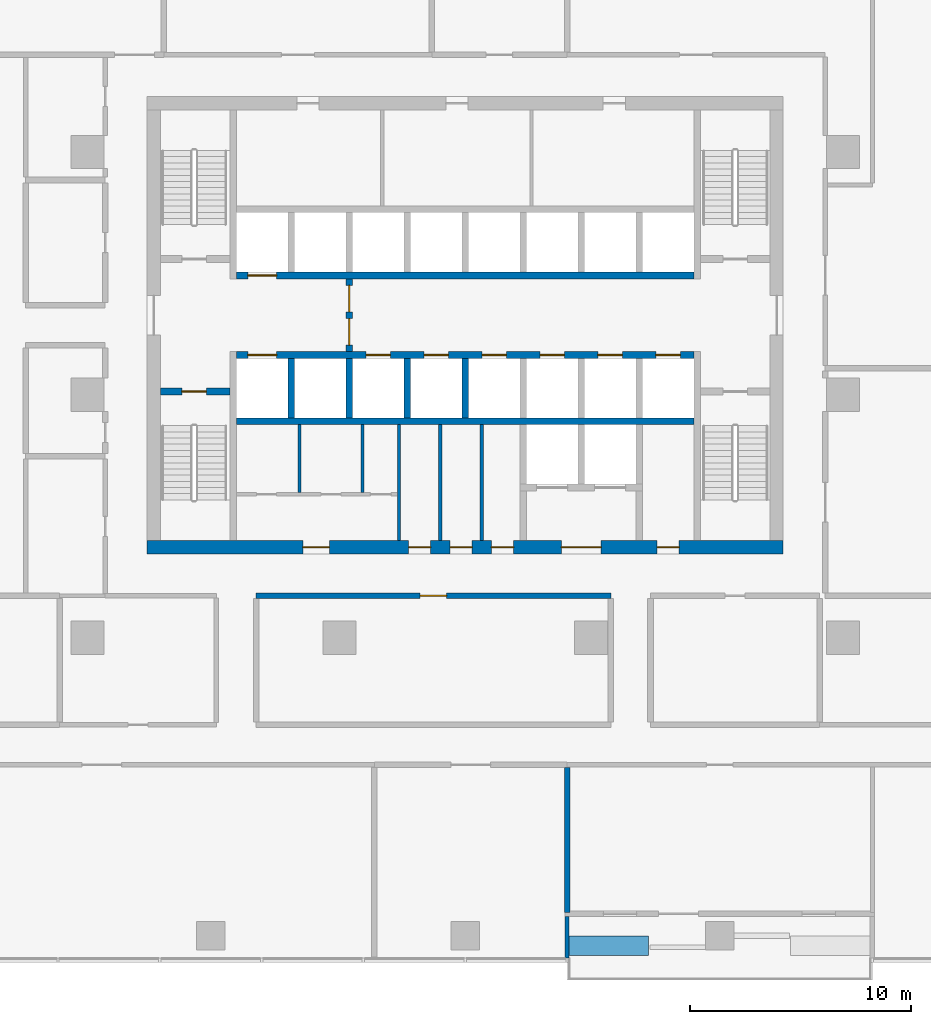
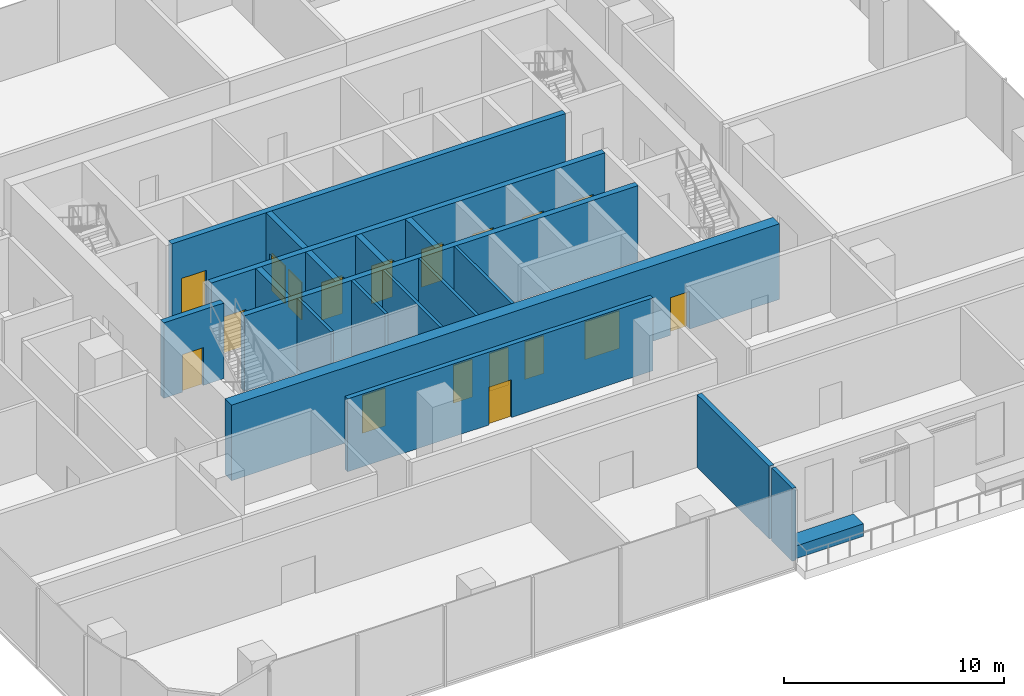
# One storey, part 8 of 15: 19 walls, 18 doors, 18 openings.
"""IFC4 building model written with IfcOpenShell, lengths in metres."""

from ifc_helpers import new_model, si_unit, direction, frame, frame_2d, origin, place, context, subcontext, project, spatial, rectangle, extrude, material, layer, layer_set, type_object, element, fill, save


model = new_model("IFC4")

# Units and contexts
model_context = context("Model", 3, precision=1e-05, world=origin(), true_north=direction((0.0, 1.0)))
body_context = subcontext(model_context, "Body", "Model", "MODEL_VIEW")
ifc_project = project(units=[si_unit("LENGTHUNIT", "METRE"), si_unit("AREAUNIT", "SQUARE_METRE"), si_unit("VOLUMEUNIT", "CUBIC_METRE"), si_unit("PLANEANGLEUNIT", "RADIAN"), si_unit("MASSUNIT", "GRAM", prefix="KILO")], contexts=[model_context])

# Site, building, storey
site_placement = place(None, origin())
site = spatial("IfcSite", under=ifc_project, at=site_placement, CompositionType="ELEMENT")
building_placement = place(site_placement, origin())
building = spatial("IfcBuilding", under=site, at=building_placement, Name="Mopane Tessera Tower", CompositionType="ELEMENT")
storey_placement = place(building_placement, frame((0.0, 0.0, 112.60009765625)))
storey = spatial("IfcBuildingStorey", under=building, at=storey_placement, Name="L22", CompositionType="ELEMENT", Elevation=112.60009765625)

# Walls
ifc_material_1 = material(Name="Fire-rated gypsum board partition")
ifc_layer_1 = layer(ifc_material_1, 0.14990234375)
ifc_layer_set_1 = layer_set([ifc_layer_1], Name="Fire-rated gypsum board partition")
wall_type_1 = type_object("IfcWallType", Name="Core room partition 150 mm", PredefinedType="PARTITIONING", material=ifc_layer_set_1)
for number, where, z_axis, x_axis, name in (
    (1, (-7.5, -4.425048828125, 0.0), (0.0, 0.0, 1.0), (0.0, 1.0, 0.0), "L22 WC partition"),
    (2, (-4.64990234375, -4.425048828125, 0.0), (0.0, 0.0, 1.0), (0.0, 1.0, 0.0), "L22 WC partition"),
):
    element("IfcWall", number, at=place(storey_placement, frame(where, z_axis=z_axis, x_axis=x_axis)), inside=storey, type_object=wall_type_1, Name=name, PredefinedType="PARTITIONING", context=body_context, shape_type="SweptSolid", body=[
        extrude(rectangle(XDim=3.074951171875, YDim=0.14990234375, at=frame_2d((1.53759765625, 0.0))), origin(), (0.0, 0.0, 1.0), 4.199951171875),
    ])
for number, where, z_axis, x_axis, name in (
    (3, (-3.0, -6.60009765625, 0.0), (0.0, 0.0, 1.0), (0.0, 1.0, 0.0), "L22 Room partition"),
    (4, (-1.125, -6.60009765625, 0.0), (0.0, 0.0, 1.0), (0.0, 1.0, 0.0), "L22 Room partition"),
    (5, (0.75, -6.60009765625, 0.0), (0.0, 0.0, 1.0), (0.0, 1.0, 0.0), "L22 Room partition"),
):
    element("IfcWall", number, at=place(storey_placement, frame(where, z_axis=z_axis, x_axis=x_axis)), inside=storey, type_object=wall_type_1, Name=name, PredefinedType="PARTITIONING", context=body_context, shape_type="SweptSolid", body=[
        extrude(rectangle(XDim=5.25, YDim=0.14990234375, at=frame_2d((2.625, 0.0))), origin(), (0.0, 0.0, 1.0), 4.199951171875),
    ])

# Wall, openings, doors
ifc_material_2 = material(Name="Concrete C70/85", Category="concrete")
ifc_layer_2 = layer(ifc_material_2, 0.60009765625)
ifc_layer_set_2 = layer_set([ifc_layer_2], Name="Concrete C70/85")
wall_type_2 = type_object("IfcWallType", Name="Core shear wall 600 mm", PredefinedType="SHEAR", material=ifc_layer_set_2)
wall_1_placement = place(storey_placement, frame((-14.39990234375, -6.89990234375, 0.0), z_axis=(0.0, 0.0, 1.0), x_axis=(1.0, 0.0, 0.0)))
wall_1 = element("IfcWall", 6, at=wall_1_placement, inside=storey, type_object=wall_type_2, Name="L22 Core wall south", PredefinedType="SHEAR", context=body_context, shape_type="SweptSolid", body=[
    extrude(rectangle(XDim=28.7998046875, YDim=0.60009765625, at=frame_2d((14.39990234375, 0.0))), origin(), (0.0, 0.0, 1.0), 4.199951171875),
])
opening_1_placement = place(wall_1_placement, frame((7.050048828125, 0.0, 0.0)))
opening_1 = element("IfcOpeningElement", 7, at=opening_1_placement, cuts=wall_1, Name="Opening WD3", PredefinedType="OPENING", context=body_context, shape_type="SweptSolid", body=[
    extrude(rectangle(XDim=1.199951171875, YDim=2.10009765625, at=frame_2d((0.60009765625, 1.050048828125))), frame((0.0, 0.31201171875, 0.0), z_axis=(0.0, -1.0, 0.0), x_axis=(1.0, 0.0, 0.0)), (0.0, 0.0, 1.0), 0.6240234375),
])
opening_2_placement = place(wall_1_placement, frame((11.83740234375, 0.0, 0.0)))
opening_2 = element("IfcOpeningElement", 8, at=opening_2_placement, cuts=wall_1, Name="Opening RD1", PredefinedType="OPENING", context=body_context, shape_type="SweptSolid", body=[
    extrude(rectangle(XDim=1.0, YDim=2.10009765625, at=frame_2d((0.5, 1.050048828125))), frame((0.0, 0.31201171875, 0.0), z_axis=(0.0, -1.0, 0.0), x_axis=(1.0, 0.0, 0.0)), (0.0, 0.0, 1.0), 0.6240234375),
])
opening_3_placement = place(wall_1_placement, frame((13.71240234375, 0.0, 0.0)))
opening_3 = element("IfcOpeningElement", 9, at=opening_3_placement, cuts=wall_1, Name="Opening RD1", PredefinedType="OPENING", context=body_context, shape_type="SweptSolid", body=[
    extrude(rectangle(XDim=1.0, YDim=2.10009765625, at=frame_2d((0.5, 1.050048828125))), frame((0.0, 0.31201171875, 0.0), z_axis=(0.0, -1.0, 0.0), x_axis=(1.0, 0.0, 0.0)), (0.0, 0.0, 1.0), 0.6240234375),
])
opening_4_placement = place(wall_1_placement, frame((15.58740234375, 0.0, 0.0)))
opening_4 = element("IfcOpeningElement", 10, at=opening_4_placement, cuts=wall_1, Name="Opening RD1", PredefinedType="OPENING", context=body_context, shape_type="SweptSolid", body=[
    extrude(rectangle(XDim=1.0, YDim=2.10009765625, at=frame_2d((0.5, 1.050048828125))), frame((0.0, 0.31201171875, 0.0), z_axis=(0.0, -1.0, 0.0), x_axis=(1.0, 0.0, 0.0)), (0.0, 0.0, 1.0), 0.6240234375),
])
opening_5_placement = place(wall_1_placement, frame((18.75, 0.0, 0.0)))
opening_5 = element("IfcOpeningElement", 11, at=opening_5_placement, cuts=wall_1, Name="Opening SD2", PredefinedType="OPENING", context=body_context, shape_type="SweptSolid", body=[
    extrude(rectangle(XDim=1.800048828125, YDim=2.10009765625, at=frame_2d((0.89990234375, 1.050048828125))), frame((0.0, 0.31201171875, 0.0), z_axis=(0.0, -1.0, 0.0), x_axis=(1.0, 0.0, 0.0)), (0.0, 0.0, 1.0), 0.6240234375),
])
opening_6_placement = place(wall_1_placement, frame((23.08740234375, 0.0, 0.0)))
opening_6 = element("IfcOpeningElement", 12, at=opening_6_placement, cuts=wall_1, Name="Opening RD1", PredefinedType="OPENING", context=body_context, shape_type="SweptSolid", body=[
    extrude(rectangle(XDim=1.0, YDim=2.10009765625, at=frame_2d((0.5, 1.050048828125))), frame((0.0, 0.31201171875, 0.0), z_axis=(0.0, -1.0, 0.0), x_axis=(1.0, 0.0, 0.0)), (0.0, 0.0, 1.0), 0.6240234375),
])
ifc_material_3 = material(Name="Steel fire door", Category="steel")
door_type_1 = type_object("IfcDoorType", Name="Core entrance double door 1800 x 2100", OperationType="DOUBLE_DOOR_SINGLE_SWING", PredefinedType="DOOR", material=ifc_material_3)
door_1_placement = place(opening_5_placement, origin())
door_1 = element("IfcDoor", 13, at=door_1_placement, inside=storey, type_object=door_type_1, Name="L22 Service lobby door", OperationType="DOUBLE_DOOR_SINGLE_SWING", OverallHeight=2.10009765625, OverallWidth=1.800048828125, PredefinedType="DOOR", context=body_context, shape_type="SweptSolid", body=[
    extrude(rectangle(XDim=1.800048828125, YDim=2.10009765625, at=frame_2d((0.89990234375, 1.050048828125))), frame((0.0, 0.02490234375, 0.0), z_axis=(0.0, -1.0, 0.0), x_axis=(1.0, 0.0, 0.0)), (0.0, 0.0, 1.0), 0.050048828125),
])
fill(opening_5, door_1)
ifc_material_4 = material(Name="Timber door", Category="wood")
door_type_2 = type_object("IfcDoorType", Name="Core room door 1000 x 2100", OperationType="SINGLE_SWING_LEFT", PredefinedType="DOOR", material=ifc_material_4)
door_2_placement = place(opening_2_placement, origin())
door_2 = element("IfcDoor", 14, at=door_2_placement, inside=storey, type_object=door_type_2, Name="L22 Room door", OperationType="SINGLE_SWING_LEFT", OverallHeight=2.10009765625, OverallWidth=1.0, PredefinedType="DOOR", context=body_context, shape_type="SweptSolid", body=[
    extrude(rectangle(XDim=1.0, YDim=2.10009765625, at=frame_2d((0.5, 1.050048828125))), frame((0.0, 0.02490234375, 0.0), z_axis=(0.0, -1.0, 0.0), x_axis=(1.0, 0.0, 0.0)), (0.0, 0.0, 1.0), 0.050048828125),
])
fill(opening_2, door_2)
door_3_placement = place(opening_3_placement, origin())
door_3 = element("IfcDoor", 15, at=door_3_placement, inside=storey, type_object=door_type_2, Name="L22 Room door", OperationType="SINGLE_SWING_LEFT", OverallHeight=2.10009765625, OverallWidth=1.0, PredefinedType="DOOR", context=body_context, shape_type="SweptSolid", body=[
    extrude(rectangle(XDim=1.0, YDim=2.10009765625, at=frame_2d((0.5, 1.050048828125))), frame((0.0, 0.02490234375, 0.0), z_axis=(0.0, -1.0, 0.0), x_axis=(1.0, 0.0, 0.0)), (0.0, 0.0, 1.0), 0.050048828125),
])
fill(opening_3, door_3)
door_4_placement = place(opening_4_placement, origin())
door_4 = element("IfcDoor", 16, at=door_4_placement, inside=storey, type_object=door_type_2, Name="L22 Room door", OperationType="SINGLE_SWING_LEFT", OverallHeight=2.10009765625, OverallWidth=1.0, PredefinedType="DOOR", context=body_context, shape_type="SweptSolid", body=[
    extrude(rectangle(XDim=1.0, YDim=2.10009765625, at=frame_2d((0.5, 1.050048828125))), frame((0.0, 0.02490234375, 0.0), z_axis=(0.0, -1.0, 0.0), x_axis=(1.0, 0.0, 0.0)), (0.0, 0.0, 1.0), 0.050048828125),
])
fill(opening_4, door_4)
door_5_placement = place(opening_6_placement, origin())
door_5 = element("IfcDoor", 17, at=door_5_placement, inside=storey, type_object=door_type_2, Name="L22 Room door", OperationType="SINGLE_SWING_LEFT", OverallHeight=2.10009765625, OverallWidth=1.0, PredefinedType="DOOR", context=body_context, shape_type="SweptSolid", body=[
    extrude(rectangle(XDim=1.0, YDim=2.10009765625, at=frame_2d((0.5, 1.050048828125))), frame((0.0, 0.02490234375, 0.0), z_axis=(0.0, -1.0, 0.0), x_axis=(1.0, 0.0, 0.0)), (0.0, 0.0, 1.0), 0.050048828125),
])
fill(opening_6, door_5)
ifc_material_5 = material(Name="Timber door", Category="wood")
door_type_3 = type_object("IfcDoorType", Name="WC lobby door 1200 x 2100", OperationType="SINGLE_SWING_LEFT", PredefinedType="DOOR", material=ifc_material_5)
door_6_placement = place(opening_1_placement, origin())
door_6 = element("IfcDoor", 18, at=door_6_placement, inside=storey, type_object=door_type_3, Name="L22 WC lobby door", OperationType="SINGLE_SWING_LEFT", OverallHeight=2.10009765625, OverallWidth=1.199951171875, PredefinedType="DOOR", context=body_context, shape_type="SweptSolid", body=[
    extrude(rectangle(XDim=1.199951171875, YDim=2.10009765625, at=frame_2d((0.60009765625, 1.050048828125))), frame((0.0, 0.02490234375, 0.0), z_axis=(0.0, -1.0, 0.0), x_axis=(1.0, 0.0, 0.0)), (0.0, 0.0, 1.0), 0.050048828125),
])
fill(opening_1, door_6)

# Wall, opening, door
ifc_material_6 = material(Name="Concrete C50/60", Category="concrete")
ifc_layer_3 = layer(ifc_material_6, 0.300048828125)
ifc_layer_set_3 = layer_set([ifc_layer_3], Name="Concrete C50/60")
wall_type_3 = type_object("IfcWallType", Name="Lift and stair shaft wall 300 mm", PredefinedType="SOLIDWALL", material=ifc_layer_set_3)
wall_2_placement = place(storey_placement, frame((-13.800048828125, 0.14990234375, 0.0), z_axis=(0.0, 0.0, 1.0), x_axis=(1.0, 0.0, 0.0)))
wall_2 = element("IfcWall", 19, at=wall_2_placement, inside=storey, type_object=wall_type_3, Name="L22 Stair enclosure wall", PredefinedType="SOLIDWALL", context=body_context, shape_type="SweptSolid", body=[
    extrude(rectangle(XDim=3.150146484375, YDim=0.300048828125, at=frame_2d((1.5751953125, 0.0))), origin(), (0.0, 0.0, 1.0), 4.199951171875),
])
opening_7_placement = place(wall_2_placement, frame((0.97509765625, 0.0, 0.0)))
opening_7 = element("IfcOpeningElement", 20, at=opening_7_placement, cuts=wall_2, Name="Opening SD1", PredefinedType="OPENING", context=body_context, shape_type="SweptSolid", body=[
    extrude(rectangle(XDim=1.10009765625, YDim=2.10009765625, at=frame_2d((0.550048828125, 1.050048828125))), frame((0.0, 0.162109375, 0.0), z_axis=(0.0, -1.0, 0.0), x_axis=(1.0, 0.0, 0.0)), (0.0, 0.0, 1.0), 0.323974609375),
])
ifc_material_7 = material(Name="Steel fire door", Category="steel")
door_type_4 = type_object("IfcDoorType", Name="Stair fire door 1100 x 2100", OperationType="SINGLE_SWING_LEFT", PredefinedType="DOOR", material=ifc_material_7)
door_7_placement = place(opening_7_placement, origin())
door_7 = element("IfcDoor", 21, at=door_7_placement, inside=storey, type_object=door_type_4, Name="L22 Stair door ST1", OperationType="SINGLE_SWING_LEFT", OverallHeight=2.10009765625, OverallWidth=1.10009765625, PredefinedType="DOOR", context=body_context, shape_type="SweptSolid", body=[
    extrude(rectangle(XDim=1.10009765625, YDim=2.10009765625, at=frame_2d((0.550048828125, 1.050048828125))), frame((0.0, 0.02490234375, 0.0), z_axis=(0.0, -1.0, 0.0), x_axis=(1.0, 0.0, 0.0)), (0.0, 0.0, 1.0), 0.050048828125),
])
fill(opening_7, door_7)

# Wall
wall_3_placement = place(storey_placement, frame((-10.35009765625, -1.199951171875, 0.0), z_axis=(0.0, 0.0, 1.0), x_axis=(1.0, 0.0, 0.0)))
element("IfcWall", 22, at=wall_3_placement, inside=storey, type_object=wall_type_3, Name="L22 Lift shaft rear wall", PredefinedType="SOLIDWALL", context=body_context, shape_type="SweptSolid", body=[
    extrude(rectangle(XDim=20.7001953125, YDim=0.300048828125, at=frame_2d((10.35009765625, 0.0))), origin(), (0.0, 0.0, 1.0), 4.199951171875),
])

# Wall, openings, doors
wall_4_placement = place(storey_placement, frame((-10.35009765625, 1.800048828125, 0.0), z_axis=(0.0, 0.0, 1.0), x_axis=(1.0, 0.0, 0.0)))
wall_4 = element("IfcWall", 23, at=wall_4_placement, inside=storey, type_object=wall_type_3, Name="L22 Lift shaft front wall", PredefinedType="SOLIDWALL", context=body_context, shape_type="SweptSolid", body=[
    extrude(rectangle(XDim=20.7001953125, YDim=0.300048828125, at=frame_2d((10.35009765625, 0.0))), origin(), (0.0, 0.0, 1.0), 4.199951171875),
])
opening_8_placement = place(wall_4_placement, frame((0.512451171875, 0.0, 0.0)))
opening_8 = element("IfcOpeningElement", 24, at=opening_8_placement, cuts=wall_4, Name="Opening LD2", PredefinedType="OPENING", context=body_context, shape_type="SweptSolid", body=[
    extrude(rectangle(XDim=1.300048828125, YDim=2.10009765625, at=frame_2d((0.64990234375, 1.050048828125))), frame((0.0, 0.162109375, 0.0), z_axis=(0.0, -1.0, 0.0), x_axis=(1.0, 0.0, 0.0)), (0.0, 0.0, 1.0), 0.323974609375),
])
opening_9_placement = place(wall_4_placement, frame((5.862548828125, 0.0, 0.0)))
opening_9 = element("IfcOpeningElement", 25, at=opening_9_placement, cuts=wall_4, Name="Opening LD", PredefinedType="OPENING", context=body_context, shape_type="SweptSolid", body=[
    extrude(rectangle(XDim=1.10009765625, YDim=2.10009765625, at=frame_2d((0.550048828125, 1.050048828125))), frame((0.0, 0.162109375, 0.0), z_axis=(0.0, -1.0, 0.0), x_axis=(1.0, 0.0, 0.0)), (0.0, 0.0, 1.0), 0.323974609375),
])
opening_10_placement = place(wall_4_placement, frame((8.487548828125, 0.0, 0.0)))
opening_10 = element("IfcOpeningElement", 26, at=opening_10_placement, cuts=wall_4, Name="Opening LD", PredefinedType="OPENING", context=body_context, shape_type="SweptSolid", body=[
    extrude(rectangle(XDim=1.10009765625, YDim=2.10009765625, at=frame_2d((0.550048828125, 1.050048828125))), frame((0.0, 0.162109375, 0.0), z_axis=(0.0, -1.0, 0.0), x_axis=(1.0, 0.0, 0.0)), (0.0, 0.0, 1.0), 0.323974609375),
])
opening_11_placement = place(wall_4_placement, frame((11.112548828125, 0.0, 0.0)))
opening_11 = element("IfcOpeningElement", 27, at=opening_11_placement, cuts=wall_4, Name="Opening LD", PredefinedType="OPENING", context=body_context, shape_type="SweptSolid", body=[
    extrude(rectangle(XDim=1.10009765625, YDim=2.10009765625, at=frame_2d((0.550048828125, 1.050048828125))), frame((0.0, 0.162109375, 0.0), z_axis=(0.0, -1.0, 0.0), x_axis=(1.0, 0.0, 0.0)), (0.0, 0.0, 1.0), 0.323974609375),
])
opening_12_placement = place(wall_4_placement, frame((13.737548828125, 0.0, 0.0)))
opening_12 = element("IfcOpeningElement", 28, at=opening_12_placement, cuts=wall_4, Name="Opening LD", PredefinedType="OPENING", context=body_context, shape_type="SweptSolid", body=[
    extrude(rectangle(XDim=1.10009765625, YDim=2.10009765625, at=frame_2d((0.550048828125, 1.050048828125))), frame((0.0, 0.162109375, 0.0), z_axis=(0.0, -1.0, 0.0), x_axis=(1.0, 0.0, 0.0)), (0.0, 0.0, 1.0), 0.323974609375),
])
opening_13_placement = place(wall_4_placement, frame((16.362548828125, 0.0, 0.0)))
opening_13 = element("IfcOpeningElement", 29, at=opening_13_placement, cuts=wall_4, Name="Opening LD", PredefinedType="OPENING", context=body_context, shape_type="SweptSolid", body=[
    extrude(rectangle(XDim=1.10009765625, YDim=2.10009765625, at=frame_2d((0.550048828125, 1.050048828125))), frame((0.0, 0.162109375, 0.0), z_axis=(0.0, -1.0, 0.0), x_axis=(1.0, 0.0, 0.0)), (0.0, 0.0, 1.0), 0.323974609375),
])
opening_14_placement = place(wall_4_placement, frame((18.987548828125, 0.0, 0.0)))
opening_14 = element("IfcOpeningElement", 30, at=opening_14_placement, cuts=wall_4, Name="Opening LD", PredefinedType="OPENING", context=body_context, shape_type="SweptSolid", body=[
    extrude(rectangle(XDim=1.10009765625, YDim=2.10009765625, at=frame_2d((0.550048828125, 1.050048828125))), frame((0.0, 0.162109375, 0.0), z_axis=(0.0, -1.0, 0.0), x_axis=(1.0, 0.0, 0.0)), (0.0, 0.0, 1.0), 0.323974609375),
])
ifc_material_8 = material(Name="Stainless steel sliding door", Category="steel")
door_type_5 = type_object("IfcDoorType", Name="Fire-fighting lift landing door 1300 x 2100", OperationType="DOUBLE_DOOR_SLIDING", PredefinedType="DOOR", material=ifc_material_8)
door_8_placement = place(opening_8_placement, origin())
door_8 = element("IfcDoor", 31, at=door_8_placement, inside=storey, type_object=door_type_5, Name="L22 Lift landing door FF1", OperationType="DOUBLE_DOOR_SLIDING", OverallHeight=2.10009765625, OverallWidth=1.300048828125, PredefinedType="DOOR", context=body_context, shape_type="SweptSolid", body=[
    extrude(rectangle(XDim=1.300048828125, YDim=2.10009765625, at=frame_2d((0.64990234375, 1.050048828125))), frame((0.0, 0.02490234375, 0.0), z_axis=(0.0, -1.0, 0.0), x_axis=(1.0, 0.0, 0.0)), (0.0, 0.0, 1.0), 0.050048828125),
])
fill(opening_8, door_8)
ifc_material_9 = material(Name="Stainless steel sliding door", Category="steel")
door_type_6 = type_object("IfcDoorType", Name="Lift landing door 1100 x 2100", OperationType="DOUBLE_DOOR_SLIDING", PredefinedType="DOOR", material=ifc_material_9)
door_9_placement = place(opening_9_placement, origin())
door_9 = element("IfcDoor", 32, at=door_9_placement, inside=storey, type_object=door_type_6, Name="L22 Lift landing door LR1", OperationType="DOUBLE_DOOR_SLIDING", OverallHeight=2.10009765625, OverallWidth=1.10009765625, PredefinedType="DOOR", context=body_context, shape_type="SweptSolid", body=[
    extrude(rectangle(XDim=1.10009765625, YDim=2.10009765625, at=frame_2d((0.550048828125, 1.050048828125))), frame((0.0, 0.02490234375, 0.0), z_axis=(0.0, -1.0, 0.0), x_axis=(1.0, 0.0, 0.0)), (0.0, 0.0, 1.0), 0.050048828125),
])
fill(opening_9, door_9)
door_10_placement = place(opening_10_placement, origin())
door_10 = element("IfcDoor", 33, at=door_10_placement, inside=storey, type_object=door_type_6, Name="L22 Lift landing door LR2", OperationType="DOUBLE_DOOR_SLIDING", OverallHeight=2.10009765625, OverallWidth=1.10009765625, PredefinedType="DOOR", context=body_context, shape_type="SweptSolid", body=[
    extrude(rectangle(XDim=1.10009765625, YDim=2.10009765625, at=frame_2d((0.550048828125, 1.050048828125))), frame((0.0, 0.02490234375, 0.0), z_axis=(0.0, -1.0, 0.0), x_axis=(1.0, 0.0, 0.0)), (0.0, 0.0, 1.0), 0.050048828125),
])
fill(opening_10, door_10)
door_11_placement = place(opening_11_placement, origin())
door_11 = element("IfcDoor", 34, at=door_11_placement, inside=storey, type_object=door_type_6, Name="L22 Lift landing door LR3", OperationType="DOUBLE_DOOR_SLIDING", OverallHeight=2.10009765625, OverallWidth=1.10009765625, PredefinedType="DOOR", context=body_context, shape_type="SweptSolid", body=[
    extrude(rectangle(XDim=1.10009765625, YDim=2.10009765625, at=frame_2d((0.550048828125, 1.050048828125))), frame((0.0, 0.02490234375, 0.0), z_axis=(0.0, -1.0, 0.0), x_axis=(1.0, 0.0, 0.0)), (0.0, 0.0, 1.0), 0.050048828125),
])
fill(opening_11, door_11)
door_12_placement = place(opening_12_placement, origin())
door_12 = element("IfcDoor", 35, at=door_12_placement, inside=storey, type_object=door_type_6, Name="L22 Lift landing door LR4", OperationType="DOUBLE_DOOR_SLIDING", OverallHeight=2.10009765625, OverallWidth=1.10009765625, PredefinedType="DOOR", context=body_context, shape_type="SweptSolid", body=[
    extrude(rectangle(XDim=1.10009765625, YDim=2.10009765625, at=frame_2d((0.550048828125, 1.050048828125))), frame((0.0, 0.02490234375, 0.0), z_axis=(0.0, -1.0, 0.0), x_axis=(1.0, 0.0, 0.0)), (0.0, 0.0, 1.0), 0.050048828125),
])
fill(opening_12, door_12)
door_13_placement = place(opening_13_placement, origin())
door_13 = element("IfcDoor", 36, at=door_13_placement, inside=storey, type_object=door_type_6, Name="L22 Lift landing door LR5", OperationType="DOUBLE_DOOR_SLIDING", OverallHeight=2.10009765625, OverallWidth=1.10009765625, PredefinedType="DOOR", context=body_context, shape_type="SweptSolid", body=[
    extrude(rectangle(XDim=1.10009765625, YDim=2.10009765625, at=frame_2d((0.550048828125, 1.050048828125))), frame((0.0, 0.02490234375, 0.0), z_axis=(0.0, -1.0, 0.0), x_axis=(1.0, 0.0, 0.0)), (0.0, 0.0, 1.0), 0.050048828125),
])
fill(opening_13, door_13)
door_14_placement = place(opening_14_placement, origin())
door_14 = element("IfcDoor", 37, at=door_14_placement, inside=storey, type_object=door_type_6, Name="L22 Lift landing door LR6", OperationType="DOUBLE_DOOR_SLIDING", OverallHeight=2.10009765625, OverallWidth=1.10009765625, PredefinedType="DOOR", context=body_context, shape_type="SweptSolid", body=[
    extrude(rectangle(XDim=1.10009765625, YDim=2.10009765625, at=frame_2d((0.550048828125, 1.050048828125))), frame((0.0, 0.02490234375, 0.0), z_axis=(0.0, -1.0, 0.0), x_axis=(1.0, 0.0, 0.0)), (0.0, 0.0, 1.0), 0.050048828125),
])
fill(opening_14, door_14)

# Wall, opening, door
wall_5_placement = place(storey_placement, frame((-10.35009765625, 5.39990234375, 0.0), z_axis=(0.0, 0.0, 1.0), x_axis=(1.0, 0.0, 0.0)))
wall_5 = element("IfcWall", 38, at=wall_5_placement, inside=storey, type_object=wall_type_3, Name="L22 Lift shaft front wall", PredefinedType="SOLIDWALL", context=body_context, shape_type="SweptSolid", body=[
    extrude(rectangle(XDim=20.7001953125, YDim=0.300048828125, at=frame_2d((10.35009765625, 0.0))), origin(), (0.0, 0.0, 1.0), 4.199951171875),
])
opening_15_placement = place(wall_5_placement, frame((0.512451171875, 0.0, 0.0)))
opening_15 = element("IfcOpeningElement", 39, at=opening_15_placement, cuts=wall_5, Name="Opening LD2", PredefinedType="OPENING", context=body_context, shape_type="SweptSolid", body=[
    extrude(rectangle(XDim=1.300048828125, YDim=2.10009765625, at=frame_2d((0.64990234375, 1.050048828125))), frame((0.0, 0.162109375, 0.0), z_axis=(0.0, -1.0, 0.0), x_axis=(1.0, 0.0, 0.0)), (0.0, 0.0, 1.0), 0.323974609375),
])
door_15_placement = place(opening_15_placement, origin())
door_15 = element("IfcDoor", 40, at=door_15_placement, inside=storey, type_object=door_type_5, Name="L22 Lift landing door FF2", OperationType="DOUBLE_DOOR_SLIDING", OverallHeight=2.10009765625, OverallWidth=1.300048828125, PredefinedType="DOOR", context=body_context, shape_type="SweptSolid", body=[
    extrude(rectangle(XDim=1.300048828125, YDim=2.10009765625, at=frame_2d((0.64990234375, 1.050048828125))), frame((0.0, 0.02490234375, 0.0), z_axis=(0.0, -1.0, 0.0), x_axis=(1.0, 0.0, 0.0)), (0.0, 0.0, 1.0), 0.050048828125),
])
fill(opening_15, door_15)

# Walls
for number, where, z_axis, x_axis, name in (
    (41, (-7.875, -1.050048828125, 0.0), (0.0, 0.0, 1.0), (0.0, 1.0, 0.0), "L22 Lift shaft wall"),
    (42, (-5.25, -1.050048828125, 0.0), (0.0, 0.0, 1.0), (0.0, 1.0, 0.0), "L22 Lift shaft wall"),
    (43, (-2.625, -1.050048828125, 0.0), (0.0, 0.0, 1.0), (0.0, 1.0, 0.0), "L22 Lift shaft wall"),
    (44, (0.0, -1.050048828125, 0.0), (0.0, 0.0, 1.0), (0.0, 1.0, 0.0), "L22 Lift shaft wall"),
):
    element("IfcWall", number, at=place(storey_placement, frame(where, z_axis=z_axis, x_axis=x_axis)), inside=storey, type_object=wall_type_3, Name=name, PredefinedType="SOLIDWALL", context=body_context, shape_type="SweptSolid", body=[
        extrude(rectangle(XDim=2.699951171875, YDim=0.300048828125, at=frame_2d((1.35009765625, 0.0))), origin(), (0.0, 0.0, 1.0), 4.199951171875),
    ])

# Wall, openings, doors
ifc_material_10 = material(Name="Concrete C50/60", Category="concrete")
ifc_layer_4 = layer(ifc_material_10, 0.300048828125)
ifc_layer_set_4 = layer_set([ifc_layer_4], Name="Concrete C50/60")
wall_type_4 = type_object("IfcWallType", Name="Lobby and refuge room wall 300 mm", PredefinedType="SOLIDWALL", material=ifc_layer_set_4)
wall_6_placement = place(storey_placement, frame((-5.25, 1.949951171875, 0.0), z_axis=(0.0, 0.0, 1.0), x_axis=(0.0, 1.0, 0.0)))
wall_6 = element("IfcWall", 45, at=wall_6_placement, inside=storey, type_object=wall_type_4, Name="L22 Fire-fighting lobby wall", PredefinedType="SOLIDWALL", context=body_context, shape_type="SweptSolid", body=[
    extrude(rectangle(XDim=3.300048828125, YDim=0.300048828125, at=frame_2d((1.64990234375, 0.0))), origin(), (0.0, 0.0, 1.0), 4.199951171875),
])
opening_16_placement = place(wall_6_placement, frame((0.300048828125, 0.0, 0.0)))
opening_16 = element("IfcOpeningElement", 46, at=opening_16_placement, cuts=wall_6, Name="Opening SD3", PredefinedType="OPENING", context=body_context, shape_type="SweptSolid", body=[
    extrude(rectangle(XDim=1.199951171875, YDim=2.10009765625, at=frame_2d((0.60009765625, 1.050048828125))), frame((0.0, 0.162109375, 0.0), z_axis=(0.0, -1.0, 0.0), x_axis=(1.0, 0.0, 0.0)), (0.0, 0.0, 1.0), 0.323974609375),
])
opening_17_placement = place(wall_6_placement, frame((1.800048828125, 0.0, 0.0)))
opening_17 = element("IfcOpeningElement", 47, at=opening_17_placement, cuts=wall_6, Name="Opening SD3", PredefinedType="OPENING", context=body_context, shape_type="SweptSolid", body=[
    extrude(rectangle(XDim=1.199951171875, YDim=2.10009765625, at=frame_2d((0.60009765625, 1.050048828125))), frame((0.0, 0.162109375, 0.0), z_axis=(0.0, -1.0, 0.0), x_axis=(1.0, 0.0, 0.0)), (0.0, 0.0, 1.0), 0.323974609375),
])
ifc_material_11 = material(Name="Steel fire door", Category="steel")
door_type_7 = type_object("IfcDoorType", Name="Lobby fire door 1200 x 2100", OperationType="SINGLE_SWING_LEFT", PredefinedType="DOOR", material=ifc_material_11)
door_16_placement = place(opening_16_placement, origin())
door_16 = element("IfcDoor", 48, at=door_16_placement, inside=storey, type_object=door_type_7, Name="L22 Fire-fighting lobby door", OperationType="SINGLE_SWING_LEFT", OverallHeight=2.10009765625, OverallWidth=1.199951171875, PredefinedType="DOOR", context=body_context, shape_type="SweptSolid", body=[
    extrude(rectangle(XDim=1.199951171875, YDim=2.10009765625, at=frame_2d((0.60009765625, 1.050048828125))), frame((0.0, 0.02490234375, 0.0), z_axis=(0.0, -1.0, 0.0), x_axis=(1.0, 0.0, 0.0)), (0.0, 0.0, 1.0), 0.050048828125),
])
fill(opening_16, door_16)
door_17_placement = place(opening_17_placement, origin())
door_17 = element("IfcDoor", 49, at=door_17_placement, inside=storey, type_object=door_type_7, Name="L22 Fire-fighting lobby door", OperationType="SINGLE_SWING_RIGHT", OverallHeight=2.10009765625, OverallWidth=1.199951171875, PredefinedType="DOOR", context=body_context, shape_type="SweptSolid", body=[
    extrude(rectangle(XDim=1.199951171875, YDim=2.10009765625, at=frame_2d((0.60009765625, 1.050048828125))), frame((0.0, 0.02490234375, 0.0), z_axis=(0.0, -1.0, 0.0), x_axis=(1.0, 0.0, 0.0)), (0.0, 0.0, 1.0), 0.050048828125),
])
fill(opening_17, door_17)

# Wall
ifc_material_12 = material(Name="Reinforced concrete C32/40 with waterproofing", Category="concrete")
ifc_layer_5 = layer(ifc_material_12, 0.89990234375)
ifc_layer_set_5 = layer_set([ifc_layer_5], Name="Reinforced concrete C32/40 with waterproofing")
wall_type_5 = type_object("IfcWallType", Name="Planter trough 3600 x 900", PredefinedType="STANDARD", material=ifc_layer_set_5)
wall_7_placement = place(storey_placement, frame((4.7099609375, -24.949951171875, 0.0), z_axis=(0.0, 0.0, 1.0), x_axis=(1.0, 0.0, 0.0)))
element("IfcWall", 50, at=wall_7_placement, inside=storey, type_object=wall_type_5, Name="e:nw:L22:N3:pl0", PredefinedType="STANDARD", context=body_context, shape_type="SweptSolid", body=[
    extrude(rectangle(XDim=3.60009765625, YDim=0.89990234375, at=frame_2d((1.800048828125, 0.0))), origin(), (0.0, 0.0, 1.0), 0.699951171875),
])

# Wall, opening, door
ifc_material_13 = material(Name="Plastered concrete blockwork C20/25", Category="masonry")
ifc_layer_6 = layer(ifc_material_13, 0.25)
ifc_layer_set_6 = layer_set([ifc_layer_6], Name="Plastered concrete blockwork C20/25")
wall_type_6 = type_object("IfcWallType", Name="Plastered blockwork wall 250, rated EI 120", PredefinedType="PARTITIONING", material=ifc_layer_set_6)
wall_8_placement = place(storey_placement, frame((-9.469970703125, -9.10009765625, 0.0), z_axis=(0.0, 0.0, 1.0), x_axis=(1.0, 0.0, 0.0)))
wall_8 = element("IfcWall", 51, at=wall_8_placement, inside=storey, type_object=wall_type_6, Name="Partition L22:011", PredefinedType="PARTITIONING", context=body_context, shape_type="SweptSolid", body=[
    extrude(rectangle(XDim=16.06005859375, YDim=0.25, at=frame_2d((8.030029296875, 0.0))), origin(), (0.0, 0.0, 1.0), 4.0498046875),
])
opening_18_placement = place(wall_8_placement, frame((7.429931640625, 0.0, 0.0)))
opening_18 = element("IfcOpeningElement", 52, at=opening_18_placement, cuts=wall_8, Name="Opening L22-01", PredefinedType="OPENING", context=body_context, shape_type="SweptSolid", body=[
    extrude(rectangle(XDim=1.199951171875, YDim=2.10009765625, at=frame_2d((0.60009765625, 1.050048828125))), frame((0.0, 0.136962890625, 0.0), z_axis=(0.0, -1.0, 0.0), x_axis=(1.0, 0.0, 0.0)), (0.0, 0.0, 1.0), 0.27392578125),
])
ifc_material_14 = material(Name="Timber veneered steel-framed fire door", Category="steel")
door_type_8 = type_object("IfcDoorType", Name="Fire door FD120 1200 x 2100", OperationType="SINGLE_SWING_LEFT", PredefinedType="DOOR", material=ifc_material_14)
door_18_placement = place(opening_18_placement, origin())
door_18 = element("IfcDoor", 53, at=door_18_placement, inside=storey, type_object=door_type_8, Name="Door L22-01", ObjectType="D15B", OperationType="SINGLE_SWING_RIGHT", OverallHeight=2.10009765625, OverallWidth=1.199951171875, PredefinedType="DOOR", context=body_context, shape_type="SweptSolid", body=[
    extrude(rectangle(XDim=1.199951171875, YDim=2.10009765625, at=frame_2d((0.60009765625, 1.050048828125))), frame((0.0, 0.02490234375, 0.0), z_axis=(0.0, -1.0, 0.0), x_axis=(1.0, 0.0, 0.0)), (0.0, 0.0, 1.0), 0.050048828125),
])
fill(opening_18, door_18)

# Walls
wall_9_placement = place(storey_placement, frame((4.610107421875, -23.449951171875, 0.0), z_axis=(0.0, 0.0, 1.0), x_axis=(0.0, 1.0, 0.0)))
element("IfcWall", 54, at=wall_9_placement, inside=storey, type_object=wall_type_6, Name="Partition L22:044", PredefinedType="PARTITIONING", context=body_context, shape_type="SweptSolid", body=[
    extrude(rectangle(XDim=6.574951171875, YDim=0.25, at=frame_2d((3.28759765625, 0.0))), origin(), (0.0, 0.0, 1.0), 4.0498046875),
])
ifc_material_15 = material(Name="Blockwork with glazed tile facing", Category="masonry")
ifc_layer_7 = layer(ifc_material_15, 0.199951171875)
ifc_layer_set_7 = layer_set([ifc_layer_7], Name="Blockwork with glazed tile facing")
wall_type_7 = type_object("IfcWallType", Name="Terrace cheek wall 200", PredefinedType="STANDARD", material=ifc_layer_set_7)
wall_10_placement = place(storey_placement, frame((4.610107421875, -25.5, 0.0), z_axis=(0.0, 0.0, 1.0), x_axis=(0.0, 1.0, 0.0)))
element("IfcWall", 55, at=wall_10_placement, inside=storey, type_object=wall_type_7, Name="e:nw:L22:N3:cheeka", PredefinedType="STANDARD", context=body_context, shape_type="SweptSolid", body=[
    extrude(rectangle(XDim=1.875, YDim=0.199951171875, at=frame_2d((0.9375, 0.0))), origin(), (0.0, 0.0, 1.0), 4.0498046875),
])

save(model, "model.ifc")
